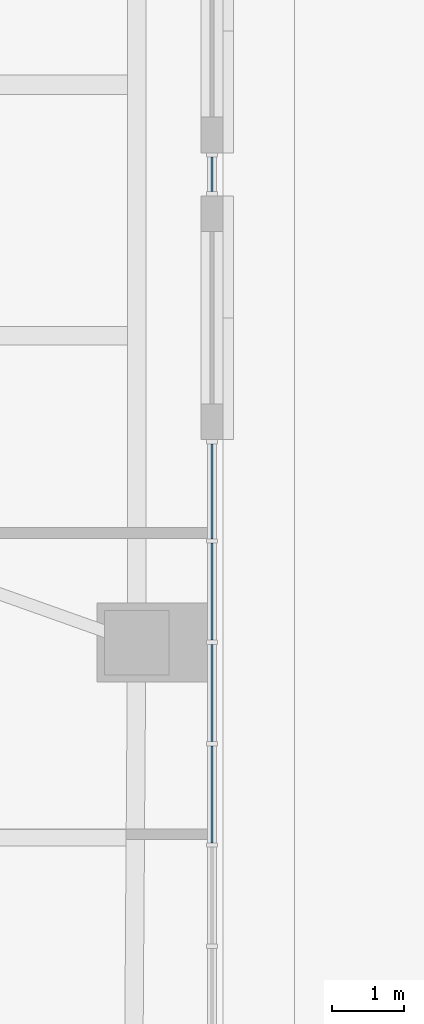
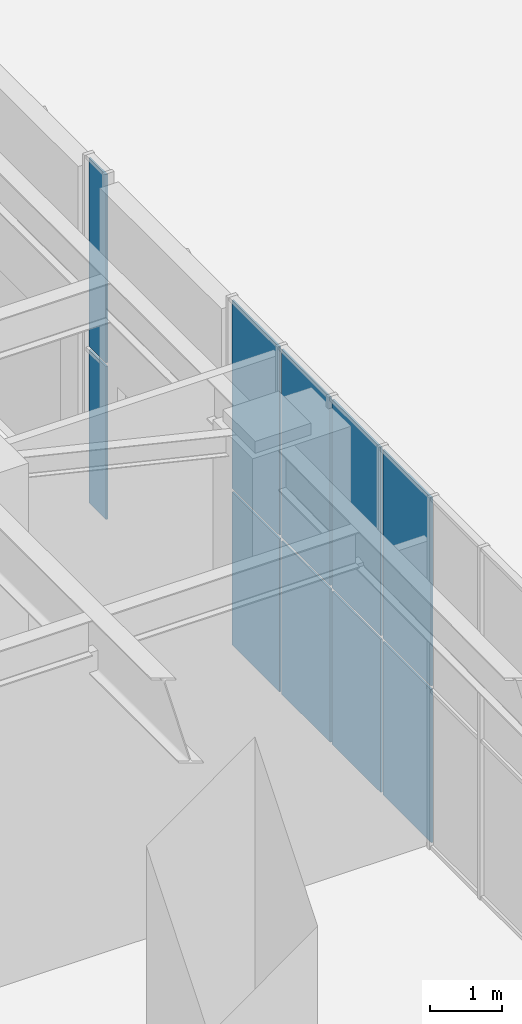
# One storey, part 23 of 43: 10 plates, 2 elements without a shape of their own.
"""IFC4 building model written with IfcOpenShell, lengths in metres."""

import ifcopenshell
import ifcopenshell.guid

model = None  # the IFC model being written
_history = None  # IfcOwnerHistory: only IFC2X3 demands one
_inside = {}  # id of a spatial element -> (the spatial element, [elements in it])
_under = {}  # id of a project, library or spatial element -> (it, [spatial elements below it])
_declared = {}  # id of a project -> (the project, [libraries it declares])
_typed = {}  # id of a type object -> (the type object, [elements of that type])
_made_of = {}  # id of a material, layer set ... -> (it, [elements and type objects made of it])


def new_model(schema):
    """Start an empty IFC model of exactly this schema.

    Asked for "IFC4X3", IfcOpenShell would pick the latest addendum, in which some entities
    have other attributes; the version numbers below select the first issue.
    IFC2X3 requires an IfcOwnerHistory on every rooted entity: one is made here for all.
    """
    global model, _history
    if schema == "IFC4X3":
        model = ifcopenshell.file(schema_version=(4, 3, 0, 0))
    else:
        model = ifcopenshell.file(schema=schema)
    _inside.clear()
    _under.clear()
    _declared.clear()
    _typed.clear()
    _made_of.clear()
    _history = None
    if model.schema == "IFC2X3":
        org = make("IfcOrganization", Name="unknown")
        user = make(
            "IfcPersonAndOrganization",
            ThePerson=make("IfcPerson", FamilyName="unknown"),
            TheOrganization=org,
        )
        app = make(
            "IfcApplication",
            ApplicationDeveloper=org,
            Version="unknown",
            ApplicationFullName="unknown",
            ApplicationIdentifier="unknown",
        )
        _history = make(
            "IfcOwnerHistory",
            OwningUser=user,
            OwningApplication=app,
            ChangeAction="ADDED",
            CreationDate=0,
        )
    return model


def make(cls, **values):
    """One entity of the class cls with the attributes given. An attribute that is None is left unset."""
    return model.create_entity(
        cls, **{name: value for name, value in values.items() if value is not None}
    )


def rooted(cls, **values):
    """An entity with a GlobalId (a new one), such as an element, a storey or a relation."""
    return make(cls, GlobalId=ifcopenshell.guid.new(), OwnerHistory=_history, **values)


def si_unit(unit_type, name, prefix=None):
    """IfcSIUnit, for example si_unit("LENGTHUNIT", "METRE", prefix="MILLI")."""
    return make("IfcSIUnit", UnitType=unit_type, Prefix=prefix, Name=name)


def assignment(units):
    """IfcUnitAssignment: the units of a project."""
    return None if units is None else make("IfcUnitAssignment", Units=units)


def point(xyz):
    """IfcCartesianPoint."""
    return None if xyz is None else make("IfcCartesianPoint", Coordinates=xyz)


def direction(xyz):
    """IfcDirection."""
    return None if xyz is None else make("IfcDirection", DirectionRatios=xyz)


def frame(location, z_axis=None, x_axis=None):
    """IfcAxis2Placement3D, a coordinate frame: its origin and axes. An axis left out is left unset."""
    return make(
        "IfcAxis2Placement3D",
        Location=point(location),
        Axis=direction(z_axis),
        RefDirection=direction(x_axis),
    )


def frame_2d(location, x_axis=None):
    """IfcAxis2Placement2D, a coordinate frame in the plane: its origin and x axis."""
    return make(
        "IfcAxis2Placement2D", Location=point(location), RefDirection=direction(x_axis)
    )


def origin():
    """The frame at (0, 0, 0) with its axes left unset."""
    return frame((0.0, 0.0, 0.0))


def origin_2d():
    """The frame at (0, 0) in the plane with its x axis left unset."""
    return frame_2d((0.0, 0.0))


def place(relative_to, where):
    """IfcLocalPlacement: puts the frame where relative to a parent placement (None: the world)."""
    return make(
        "IfcLocalPlacement", PlacementRelTo=relative_to, RelativePlacement=where
    )


def context(
    kind, dimensions, precision=None, world=None, true_north=None, identifier=None
):
    """IfcGeometricRepresentationContext, for example the 3D "Model" context."""
    return make(
        "IfcGeometricRepresentationContext",
        ContextIdentifier=identifier,
        ContextType=kind,
        CoordinateSpaceDimension=dimensions,
        Precision=precision,
        WorldCoordinateSystem=world,
        TrueNorth=true_north,
    )


def subcontext(parent, identifier, kind, view, scale=None):
    """IfcGeometricRepresentationSubContext, for example "Body" below "Model"."""
    return make(
        "IfcGeometricRepresentationSubContext",
        ContextIdentifier=identifier,
        ContextType=kind,
        ParentContext=parent,
        TargetScale=scale,
        TargetView=view,
    )


def project(units=None, contexts=None):
    """IfcProject with its units and contexts."""
    return rooted(
        "IfcProject",
        Name="project",
        RepresentationContexts=contexts,
        UnitsInContext=assignment(units),
    )


def spatial(cls, under=None, at=None, **own):
    """A site, building, storey or space (cls), placed at a placement, below another one or the project."""
    s = rooted(cls, ObjectPlacement=at, **own)
    if under is not None:
        _under.setdefault(under.id(), (under, []))[1].append(s)
    return s


def profile(cls, at=None, kind="AREA", **sizes):
    """A parametric profile (cls). Its sizes go by their IFC names, for example OverallWidth=200.0."""
    return make(cls, ProfileType=kind, Position=at, **sizes)


def rectangle(**sizes):
    """IfcRectangleProfileDef."""
    return profile("IfcRectangleProfileDef", **sizes)


def extrude(swept, where, along, depth):
    """IfcExtrudedAreaSolid: the profile swept, set in the frame where, extruded along a direction by depth."""
    return make(
        "IfcExtrudedAreaSolid",
        SweptArea=swept,
        Position=where,
        ExtrudedDirection=direction(along),
        Depth=depth,
    )


def shape(context_of_items, identifier, shape_type, items):
    """IfcShapeRepresentation: the items that make up one representation, for example the "Body"."""
    return make(
        "IfcShapeRepresentation",
        ContextOfItems=context_of_items,
        RepresentationIdentifier=identifier,
        RepresentationType=shape_type,
        Items=items,
    )


def material(Name=None, Category=None):
    """IfcMaterial."""
    return make("IfcMaterial", Name=Name, Category=Category)


def layer(
    of_material, thickness, ventilated=None, Name=None, Category=None, Priority=None
):
    """IfcMaterialLayer: one layer of a wall or slab, of a material (None: an air gap)."""
    return make(
        "IfcMaterialLayer",
        Material=of_material,
        LayerThickness=thickness,
        IsVentilated=ventilated,
        Name=Name,
        Category=Category,
        Priority=Priority,
    )


def layer_set(layers, Name=None):
    """IfcMaterialLayerSet."""
    return make("IfcMaterialLayerSet", MaterialLayers=layers, LayerSetName=Name)


def made_of(thing, what):
    """Note that an element or type object is made of a material, layer set ...; save() writes the relation."""
    if what is not None:
        _made_of.setdefault(what.id(), (what, []))[1].append(thing)
    return thing


def type_object(cls, material=None, **own):
    """A type object (cls), such as IfcWallType, which elements share."""
    return made_of(rooted(cls, **own), material)


def element(
    cls,
    number,
    at=None,
    inside=None,
    cuts=None,
    type_object=None,
    material=None,
    context=None,
    identifier="Body",
    shape_type=None,
    held_by="IfcProductDefinitionShape",
    body=None,
    shapes=None,
    **own,
):
    """One element of the class cls, such as IfcWall. Its Tag is "e" and its number.

    at: its placement. inside: the storey or other place that contains it. cuts: it is an
    opening in that element (IfcRelVoidsElement). A single representation is given by context,
    identifier, shape_type and body (its items); several are given by shapes. held_by: the class
    of the entity that holds the representations. save() writes the other relations.
    """
    e = rooted(cls, Tag="e%d" % number, ObjectPlacement=at, **own)
    if body is not None:
        shapes = [shape(context, identifier, shape_type, body)]
    if shapes is not None:
        e.Representation = make(held_by, Representations=shapes)
    if inside is not None:
        _inside.setdefault(inside.id(), (inside, []))[1].append(e)
    if cuts is not None:
        rooted(
            "IfcRelVoidsElement", RelatingBuildingElement=cuts, RelatedOpeningElement=e
        )
    if type_object is not None:
        _typed.setdefault(type_object.id(), (type_object, []))[1].append(e)
    return made_of(e, material)


def aggregate(whole, parts):
    """IfcRelAggregates: a whole, such as a stair, and the parts it consists of."""
    return rooted("IfcRelAggregates", RelatingObject=whole, RelatedObjects=parts)


def save(model, path):
    """Write the relations noted so far, then the file.

    IfcRelAggregates (storeys below a building ...), IfcRelContainedInSpatialStructure (elements
    in a storey), IfcRelDefinesByType, IfcRelAssociatesMaterial and IfcRelDeclares: one each for
    every whole, place, type object, material and project.
    """
    for whole, parts in _under.values():
        aggregate(whole, parts)
    for where, things in _inside.values():
        rooted(
            "IfcRelContainedInSpatialStructure",
            RelatedElements=things,
            RelatingStructure=where,
        )
    for kind, things in _typed.values():
        rooted("IfcRelDefinesByType", RelatedObjects=things, RelatingType=kind)
    for what, things in _made_of.values():
        rooted("IfcRelAssociatesMaterial", RelatedObjects=things, RelatingMaterial=what)
    for by, libraries in _declared.values():
        rooted("IfcRelDeclares", RelatingContext=by, RelatedDefinitions=libraries)
    model.write(path)


model = new_model("IFC4")

# Units and contexts
model_context = context("Model", 3, precision=1e-05, world=origin(), true_north=direction((0.0, 1.0)))
body_context = subcontext(model_context, "Body", "Model", "MODEL_VIEW")
ifc_project = project(units=[si_unit("LENGTHUNIT", "METRE"), si_unit("AREAUNIT", "SQUARE_METRE"), si_unit("VOLUMEUNIT", "CUBIC_METRE"), si_unit("PLANEANGLEUNIT", "RADIAN"), si_unit("MASSUNIT", "GRAM", prefix="KILO")], contexts=[model_context])

# Site, building, storey
site_placement = place(None, origin())
site = spatial("IfcSite", under=ifc_project, at=site_placement, CompositionType="ELEMENT")
building_placement = place(site_placement, origin())
building = spatial("IfcBuilding", under=site, at=building_placement, Name="Nakasero Lantern House", CompositionType="ELEMENT")
storey_placement = place(building_placement, origin())
storey = spatial("IfcBuildingStorey", under=building, at=storey_placement, Name="L00", CompositionType="ELEMENT", Elevation=0.0)

# Curtain wall, plates
ifc_material_1 = material(Name="Aluminium 6063-T6 and glass", Category="aluminium")
curtain_wall_type = type_object("IfcCurtainWallType", Name="Podium shopfront glazing CW-1", PredefinedType="USERDEFINED", material=ifc_material_1)
curtain_wall_1_placement = place(storey_placement, origin())
curtain_wall_1 = element("IfcCurtainWall", 1, at=curtain_wall_1_placement, inside=storey, type_object=curtain_wall_type, Name="Curtain wall CW-1 L00", ObjectType="STICK CURTAIN WALL", PredefinedType="USERDEFINED")
ifc_material_2 = material(Name="Glass", Category="glass")
ifc_layer = layer(ifc_material_2, 0.028076171875)
ifc_layer_set = layer_set([ifc_layer], Name="Glazed panel CW-1")
plate_type = type_object("IfcPlateType", Name="Glazed panel CW-1", PredefinedType="CURTAIN_PANEL", material=ifc_layer_set)
plate_1_placement = place(storey_placement, frame((27.85009765625, -11.643798828125, 0.06005859375), z_axis=(0.0, 0.0, 1.0), x_axis=(0.0, 1.0, 0.0)))
plate_1 = element("IfcPlate", 2, at=plate_1_placement, type_object=plate_type, Name="CW-1 panel 5.1", PredefinedType="CURTAIN_PANEL", context=body_context, shape_type="SweptSolid", body=[
    extrude(rectangle(XDim=1.3525390625, YDim=0.028076171875, at=origin_2d()), origin(), (0.0, 0.0, 1.0), 2.610107421875),
])
plate_2_placement = place(storey_placement, frame((27.85009765625, -11.643798828125, 2.72998046875), z_axis=(0.0, 0.0, 1.0), x_axis=(0.0, 1.0, 0.0)))
plate_2 = element("IfcPlate", 3, at=plate_2_placement, type_object=plate_type, Name="CW-1 panel 5.2", PredefinedType="CURTAIN_PANEL", context=body_context, shape_type="SweptSolid", body=[
    extrude(rectangle(XDim=1.3525390625, YDim=0.028076171875, at=origin_2d()), origin(), (0.0, 0.0, 1.0), 3.2099609375),
])
plate_3_placement = place(storey_placement, frame((27.85009765625, -10.231201171875, 0.06005859375), z_axis=(0.0, 0.0, 1.0), x_axis=(0.0, 1.0, 0.0)))
plate_3 = element("IfcPlate", 4, at=plate_3_placement, type_object=plate_type, Name="CW-1 panel 6.1", PredefinedType="CURTAIN_PANEL", context=body_context, shape_type="SweptSolid", body=[
    extrude(rectangle(XDim=1.3525390625, YDim=0.028076171875, at=origin_2d()), origin(), (0.0, 0.0, 1.0), 2.610107421875),
])
plate_4_placement = place(storey_placement, frame((27.85009765625, -10.231201171875, 2.72998046875), z_axis=(0.0, 0.0, 1.0), x_axis=(0.0, 1.0, 0.0)))
plate_4 = element("IfcPlate", 5, at=plate_4_placement, type_object=plate_type, Name="CW-1 panel 6.2", PredefinedType="CURTAIN_PANEL", context=body_context, shape_type="SweptSolid", body=[
    extrude(rectangle(XDim=1.3525390625, YDim=0.028076171875, at=origin_2d()), origin(), (0.0, 0.0, 1.0), 3.2099609375),
])
plate_5_placement = place(storey_placement, frame((27.85009765625, -8.81884765625, 0.06005859375), z_axis=(0.0, 0.0, 1.0), x_axis=(0.0, 1.0, 0.0)))
plate_5 = element("IfcPlate", 6, at=plate_5_placement, type_object=plate_type, Name="CW-1 panel 7.1", PredefinedType="CURTAIN_PANEL", context=body_context, shape_type="SweptSolid", body=[
    extrude(rectangle(XDim=1.3525390625, YDim=0.028076171875, at=origin_2d()), origin(), (0.0, 0.0, 1.0), 2.610107421875),
])
plate_6_placement = place(storey_placement, frame((27.85009765625, -8.81884765625, 2.72998046875), z_axis=(0.0, 0.0, 1.0), x_axis=(0.0, 1.0, 0.0)))
plate_6 = element("IfcPlate", 7, at=plate_6_placement, type_object=plate_type, Name="CW-1 panel 7.2", PredefinedType="CURTAIN_PANEL", context=body_context, shape_type="SweptSolid", body=[
    extrude(rectangle(XDim=1.3525390625, YDim=0.028076171875, at=origin_2d()), origin(), (0.0, 0.0, 1.0), 3.2099609375),
])
plate_7_placement = place(storey_placement, frame((27.85009765625, -7.421142578125, 0.06005859375), z_axis=(0.0, 0.0, 1.0), x_axis=(0.0, 1.0, 0.0)))
plate_7 = element("IfcPlate", 8, at=plate_7_placement, type_object=plate_type, Name="CW-1 panel 8.1", PredefinedType="CURTAIN_PANEL", context=body_context, shape_type="SweptSolid", body=[
    extrude(rectangle(XDim=1.322509765625, YDim=0.028076171875, at=origin_2d()), origin(), (0.0, 0.0, 1.0), 2.610107421875),
])
plate_8_placement = place(storey_placement, frame((27.85009765625, -7.421142578125, 2.72998046875), z_axis=(0.0, 0.0, 1.0), x_axis=(0.0, 1.0, 0.0)))
plate_8 = element("IfcPlate", 9, at=plate_8_placement, type_object=plate_type, Name="CW-1 panel 8.2", PredefinedType="CURTAIN_PANEL", context=body_context, shape_type="SweptSolid", body=[
    extrude(rectangle(XDim=1.322509765625, YDim=0.028076171875, at=origin_2d()), origin(), (0.0, 0.0, 1.0), 3.2099609375),
])
aggregate(curtain_wall_1, [plate_1, plate_2, plate_3, plate_4, plate_5, plate_6, plate_7, plate_8])

curtain_wall_2_placement = place(storey_placement, origin())
curtain_wall_2 = element("IfcCurtainWall", 10, at=curtain_wall_2_placement, inside=storey, type_object=curtain_wall_type, Name="Curtain wall CW-1 L00", ObjectType="STICK CURTAIN WALL", PredefinedType="USERDEFINED")
plate_9_placement = place(storey_placement, frame((27.85009765625, -3.0, 0.06005859375), z_axis=(0.0, 0.0, 1.0), x_axis=(0.0, 1.0, 0.0)))
plate_9 = element("IfcPlate", 11, at=plate_9_placement, type_object=plate_type, Name="CW-1 panel 1.1", PredefinedType="CURTAIN_PANEL", context=body_context, shape_type="SweptSolid", body=[
    extrude(rectangle(XDim=0.47998046875, YDim=0.028076171875, at=origin_2d()), origin(), (0.0, 0.0, 1.0), 2.610107421875),
])
plate_10_placement = place(storey_placement, frame((27.85009765625, -3.0, 2.72998046875), z_axis=(0.0, 0.0, 1.0), x_axis=(0.0, 1.0, 0.0)))
plate_10 = element("IfcPlate", 12, at=plate_10_placement, type_object=plate_type, Name="CW-1 panel 1.2", PredefinedType="CURTAIN_PANEL", context=body_context, shape_type="SweptSolid", body=[
    extrude(rectangle(XDim=0.47998046875, YDim=0.028076171875, at=origin_2d()), origin(), (0.0, 0.0, 1.0), 3.2099609375),
])
aggregate(curtain_wall_2, [plate_9, plate_10])

save(model, "model.ifc")
